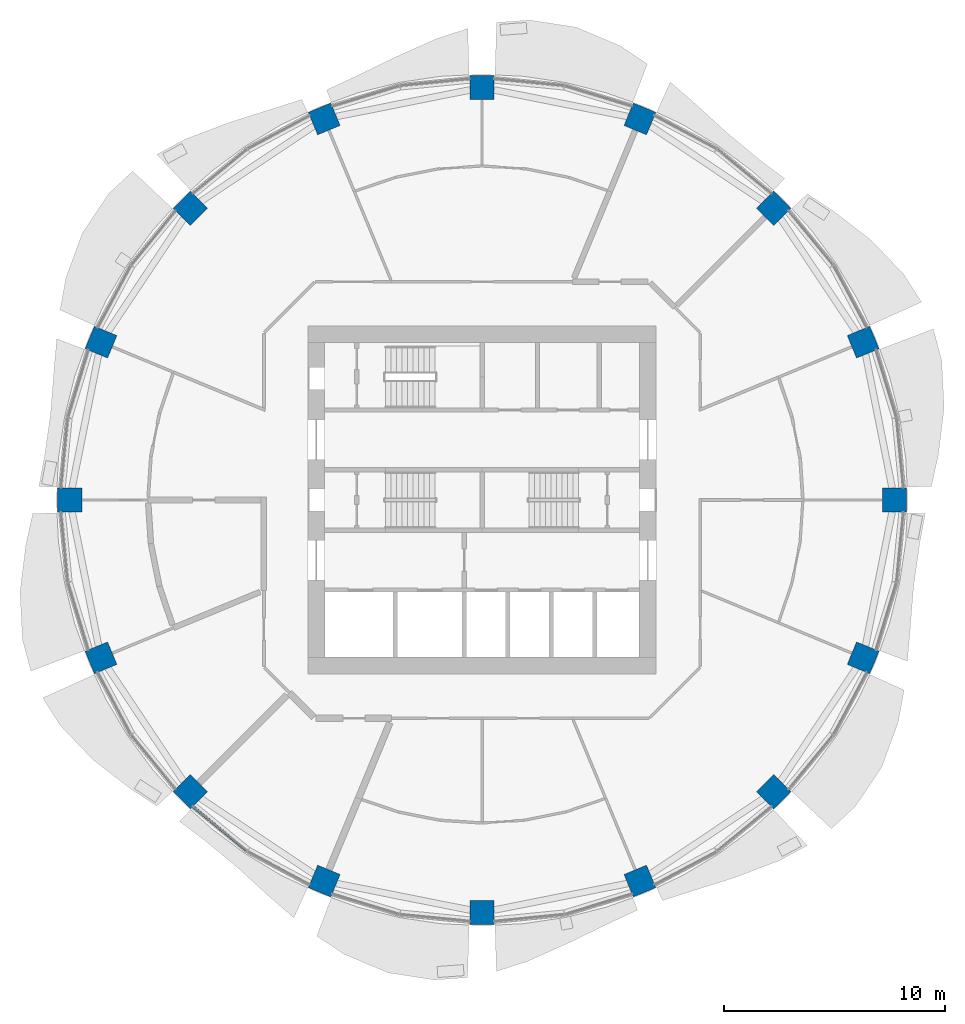
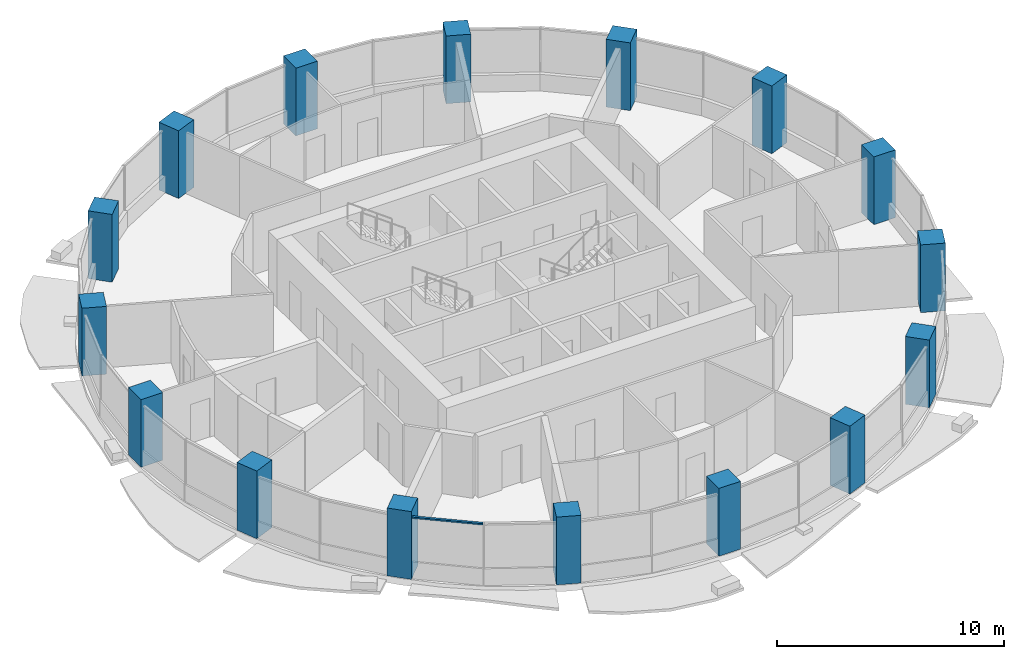
# One storey, part 1 of 14: 16 columns, 1 member, 1 element without a shape of its own.
"""IFC4 building model written with IfcOpenShell, lengths in metres."""

from ifc_helpers import new_model, si_unit, direction, frame, origin, origin_2d, place, context, subcontext, project, spatial, rectangle, extrude, material, material_profile, profile_set, type_object, element, aggregate, save


model = new_model("IFC4")

# Units and contexts
model_context = context("Model", 3, precision=1e-05, world=origin(), true_north=direction((0.0, 1.0)))
body_context = subcontext(model_context, "Body", "Model", "MODEL_VIEW")
ifc_project = project(units=[si_unit("LENGTHUNIT", "METRE"), si_unit("AREAUNIT", "SQUARE_METRE"), si_unit("VOLUMEUNIT", "CUBIC_METRE"), si_unit("PLANEANGLEUNIT", "RADIAN"), si_unit("MASSUNIT", "GRAM", prefix="KILO")], contexts=[model_context])

# Site, building, storey
site_placement = place(None, origin())
site = spatial("IfcSite", under=ifc_project, at=site_placement, CompositionType="ELEMENT")
building_placement = place(site_placement, origin())
building = spatial("IfcBuilding", under=site, at=building_placement, Name="Polderwave Tower", CompositionType="ELEMENT")
storey_placement = place(building_placement, frame((0.0, 0.0, 94.64990234375)))
storey = spatial("IfcBuildingStorey", under=building, at=storey_placement, Name="L24", CompositionType="ELEMENT", Elevation=94.64990234375)

# Columns
ifc_material_1 = material(Name="Concrete C70/85", Category="concrete")
ifc_material_profile_1 = material_profile(ifc_material_1, rectangle(XDim=1.10009765625, YDim=1.10009765625, at=origin_2d()), Name="RC 1100x1100")
ifc_profile_set_1 = profile_set([ifc_material_profile_1], Name="Concrete C70/85")
column_type = type_object("IfcColumnType", Name="RC COLUMN 1100x1100 C70/85", PredefinedType="COLUMN", material=ifc_profile_set_1)
for number, where, z_axis, x_axis, name in (
    (1, (18.669921875, 0.0, 0.0), (0.0, 0.0, 1.0), (1.0, 0.0, 0.0), "Ring column 01"),
    (2, (17.248779296875, 7.144775390625, 0.0), (0.0, 0.0, 1.0), (0.923879532511, 0.382683432365, 0.0), "Ring column 02"),
    (3, (13.20166015625, 13.20166015625, 0.0), (0.0, 0.0, 1.0), (0.707106781187, 0.707106781187, 0.0), "Ring column 03"),
    (4, (7.144775390625, 17.248779296875, 0.0), (0.0, 0.0, 1.0), (0.382683432365, 0.923879532511, 0.0), "Ring column 04"),
    (5, (0.0, 18.669921875, 0.0), (0.0, 0.0, 1.0), (0.0, 1.0, 0.0), "Ring column 05"),
    (6, (-7.144775390625, 17.248779296875, 0.0), (0.0, 0.0, 1.0), (-0.382683432365, 0.923879532511, 0.0), "Ring column 06"),
    (7, (-13.20166015625, 13.20166015625, 0.0), (0.0, 0.0, 1.0), (-0.707106781187, 0.707106781187, 0.0), "Ring column 07"),
    (8, (-17.248779296875, 7.144775390625, 0.0), (0.0, 0.0, 1.0), (-0.923879532511, 0.382683432365, 0.0), "Ring column 08"),
    (9, (-18.669921875, 0.0, 0.0), (0.0, 0.0, 1.0), (-1.0, 0.0, 0.0), "Ring column 09"),
    (10, (-17.248779296875, -7.144775390625, 0.0), (0.0, 0.0, 1.0), (-0.923879532511, -0.382683432365, 0.0), "Ring column 10"),
    (11, (-13.20166015625, -13.20166015625, 0.0), (0.0, 0.0, 1.0), (-0.707106781187, -0.707106781187, 0.0), "Ring column 11"),
    (12, (-7.144775390625, -17.248779296875, 0.0), (0.0, 0.0, 1.0), (-0.382683432365, -0.923879532511, 0.0), "Ring column 12"),
    (13, (0.0, -18.669921875, 0.0), (0.0, 0.0, 1.0), (0.0, -1.0, 0.0), "Ring column 13"),
    (14, (7.144775390625, -17.248779296875, 0.0), (0.0, 0.0, 1.0), (0.382683432365, -0.923879532511, 0.0), "Ring column 14"),
    (15, (13.20166015625, -13.20166015625, 0.0), (0.0, 0.0, 1.0), (0.707106781187, -0.707106781187, 0.0), "Ring column 15"),
    (16, (17.248779296875, -7.144775390625, 0.0), (0.0, 0.0, 1.0), (0.923879532511, -0.382683432365, 0.0), "Ring column 16"),
):
    element("IfcColumn", number, at=place(storey_placement, frame(where, z_axis=z_axis, x_axis=x_axis)), inside=storey, type_object=column_type, Name=name, PredefinedType="COLUMN", context=body_context, shape_type="SweptSolid", body=[
        extrude(rectangle(XDim=1.10009765625, YDim=1.10009765625, at=origin_2d()), origin(), (0.0, 0.0, 1.0), 3.650146484375),
    ])

# Curtain wall, member
ifc_material_2 = material(Name="Aluminium 6063-T6 and glass", Category="aluminium")
curtain_wall_type = type_object("IfcCurtainWallType", Name="Growing floor ribbon glazing wall", PredefinedType="NOTDEFINED", material=ifc_material_2)
curtain_wall_placement = place(storey_placement, origin())
curtain_wall = element("IfcCurtainWall", 17, at=curtain_wall_placement, inside=storey, type_object=curtain_wall_type, Name="CW2 L24 10", PredefinedType="NOTDEFINED")
ifc_material_3 = material(Name="Aluminium 6063-T6", Category="aluminium")
ifc_material_profile_2 = material_profile(ifc_material_3, rectangle(XDim=0.1201171875, YDim=0.080078125, at=origin_2d()), Name="AL 80x120")
ifc_profile_set_2 = profile_set([ifc_material_profile_2], Name="Aluminium 6063-T6")
member_type = type_object("IfcMemberType", Name="Growing floor ribbon glazing transom 80x120", PredefinedType="USERDEFINED", material=ifc_profile_set_2)
member_placement = place(storey_placement, frame((-13.093017578125, -13.8701171875, 3.260009765625), z_axis=(0.772891039712, -0.634538762198, 0.0), x_axis=(0.634538762198, 0.772891039712, 0.0)))
member = element("IfcMember", 18, at=member_placement, type_object=member_type, Name="CW2 transom 1", ObjectType="TRANSOM", PredefinedType="USERDEFINED", context=body_context, shape_type="SweptSolid", body=[
    extrude(rectangle(XDim=0.1201171875, YDim=0.080078125, at=origin_2d()), origin(), (0.0, 0.0, 1.0), 3.165771484375),
])
aggregate(curtain_wall, [member])

save(model, "model.ifc")
